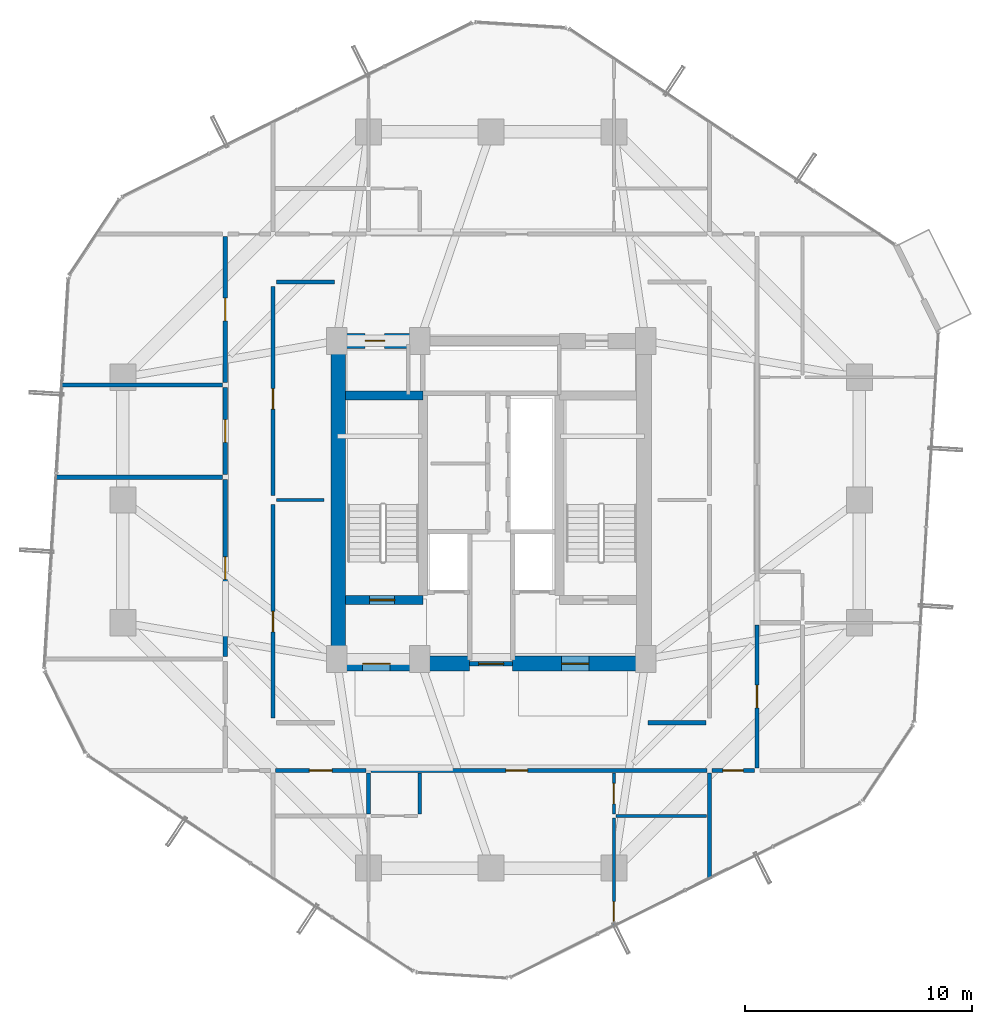
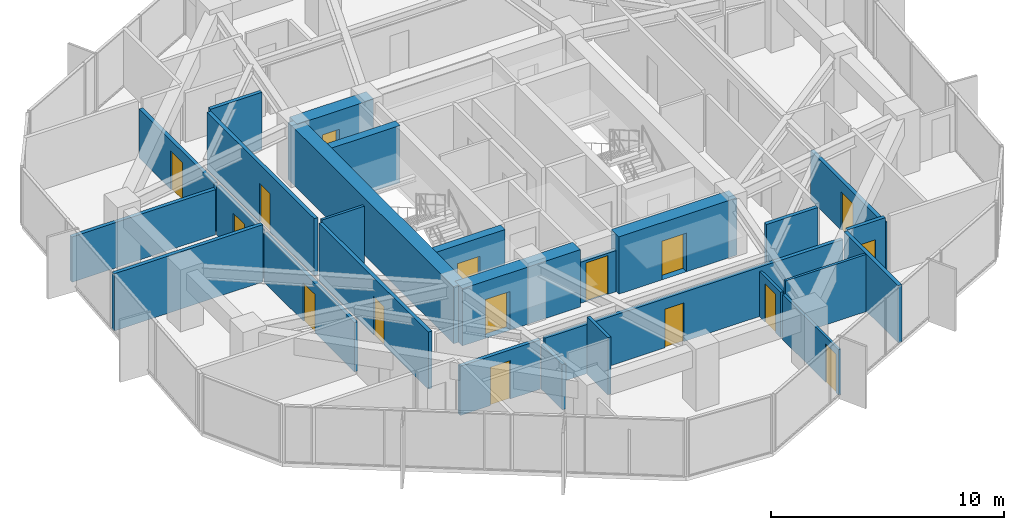
# One storey, part 26 of 30: 27 walls, 16 doors, 16 openings.
"""IFC4 building model written with IfcOpenShell, lengths in metres."""

from ifc_helpers import new_model, si_unit, direction, frame, frame_2d, origin, place, context, subcontext, project, spatial, rectangle, extrude, source, transform, mapped, material, layer, layer_set, type_object, element, fill, save


model = new_model("IFC4")

# Units and contexts
model_context = context("Model", 3, precision=1e-05, world=origin(), true_north=direction((0.0, 1.0)))
body_context = subcontext(model_context, "Body", "Model", "MODEL_VIEW")
ifc_project = project(units=[si_unit("LENGTHUNIT", "METRE"), si_unit("AREAUNIT", "SQUARE_METRE"), si_unit("VOLUMEUNIT", "CUBIC_METRE"), si_unit("PLANEANGLEUNIT", "RADIAN"), si_unit("MASSUNIT", "GRAM", prefix="KILO")], contexts=[model_context])

# Site, building, storey
site_placement = place(None, origin())
site = spatial("IfcSite", under=ifc_project, at=site_placement, CompositionType="ELEMENT")
building_placement = place(site_placement, origin())
building = spatial("IfcBuilding", under=site, at=building_placement, Name="Veraguas Prism Commons", CompositionType="ELEMENT")
storey_placement = place(building_placement, frame((0.0, 0.0, 116.5)))
storey = spatial("IfcBuildingStorey", under=building, at=storey_placement, Name="L32", CompositionType="ELEMENT", Elevation=116.5)

# Wall, opening, door
ifc_material_1 = material(Name="Concrete C50/60", Category="concrete")
ifc_layer_1 = layer(ifc_material_1, 0.39990234375, Name="Clinic and Mid Core Shear Wall RC 400", Category="concrete")
ifc_layer_set_1 = layer_set([ifc_layer_1], Name="Concrete C50/60")
wall_type_1 = type_object("IfcWallType", Name="Clinic and Mid Core Shear Wall RC 400", PredefinedType="SHEAR", material=ifc_layer_set_1)
wall_1_placement = place(storey_placement, frame((17.60009765625, 19.60009765625, 0.0), z_axis=(0.0, 0.0, 1.0), x_axis=(1.0, 0.0, 0.0)))
wall_1 = element("IfcWall", 1, at=wall_1_placement, inside=storey, type_object=wall_type_1, Name="Stair ST-01 South Shear Wall L32", PredefinedType="SHEAR", context=body_context, shape_type="SweptSolid", body=[
    extrude(rectangle(XDim=3.39990234375, YDim=0.39990234375, at=frame_2d((1.699951171875, 0.0))), origin(), (0.0, 0.0, 1.0), 3.0),
])
opening_1_placement = place(wall_1_placement, frame((1.050048828125, 0.0, 0.0)))
opening_1 = element("IfcOpeningElement", 2, at=opening_1_placement, cuts=wall_1, Name="Opening DR-05", PredefinedType="OPENING", context=body_context, shape_type="SweptSolid", body=[
    extrude(rectangle(XDim=1.10009765625, YDim=2.030029296875, at=frame_2d((0.550048828125, 1.01513671875))), frame((0.0, 0.2099609375, 0.0), z_axis=(0.0, -1.0, 0.0), x_axis=(1.0, 0.0, 0.0)), (0.0, 0.0, 1.0), 0.419921875),
])
ifc_material_2 = material(Name="Steel fire-rated door assembly", Category="steel")
door_type_1 = type_object("IfcDoorType", Name="Protected Stair and Refuge Fire Door 1100x2030", OperationType="NOTDEFINED", PredefinedType="DOOR", material=ifc_material_2)
shared_shape_1 = source(origin(), body_context, "Body", "SweptSolid", [
    extrude(rectangle(XDim=1.10009765625, YDim=2.030029296875, at=frame_2d((0.550048828125, 1.01513671875))), frame((0.0, 0.02490234375, 0.0), z_axis=(0.0, -1.0, 0.0), x_axis=(1.0, 0.0, 0.0)), (0.0, 0.0, 1.0), 0.050048828125),
])
door_1_placement = place(opening_1_placement, origin())
door_1 = element("IfcDoor", 3, at=door_1_placement, inside=storey, type_object=door_type_1, Name="Stair ST-01 Enclosure Door L32", OperationType="SINGLE_SWING_LEFT", OverallHeight=2.030029296875, OverallWidth=1.10009765625, PredefinedType="DOOR", context=body_context, shape_type="MappedRepresentation", body=[
    mapped(shared_shape_1, transform((0.0, 0.0, 0.0), scale=1.0)),
])
fill(opening_1, door_1)

# Walls
wall_2_placement = place(storey_placement, frame((17.60009765625, 28.60009765625, 0.0), z_axis=(0.0, 0.0, 1.0), x_axis=(1.0, 0.0, 0.0)))
element("IfcWall", 4, at=wall_2_placement, inside=storey, type_object=wall_type_1, Name="Stair ST-01 North Shear Wall L32", PredefinedType="SHEAR", context=body_context, shape_type="SweptSolid", body=[
    extrude(rectangle(XDim=3.39990234375, YDim=0.39990234375, at=frame_2d((1.699951171875, 0.0))), origin(), (0.0, 0.0, 1.0), 3.0),
])
ifc_material_3 = material(Name="Concrete C55/67", Category="concrete")
ifc_layer_2 = layer(ifc_material_3, 0.64990234375, Name="Core Outer Shear Wall Mid RC 650", Category="concrete")
ifc_layer_set_2 = layer_set([ifc_layer_2], Name="Concrete C55/67")
wall_type_2 = type_object("IfcWallType", Name="Core Outer Shear Wall Mid RC 650", PredefinedType="SHEAR", material=ifc_layer_set_2)
wall_3_placement = place(storey_placement, frame((17.27490234375, 16.800048828125, 0.0), z_axis=(0.0, 0.0, 1.0), x_axis=(0.0, 1.0, 0.0)))
element("IfcWall", 5, at=wall_3_placement, inside=storey, type_object=wall_type_2, Name="Central Core West Shear Wall L32", PredefinedType="SHEAR", context=body_context, shape_type="SweptSolid", body=[
    extrude(rectangle(XDim=14.199951171875, YDim=0.64990234375, at=frame_2d((7.10009765625, 0.0))), origin(), (0.0, 0.0, 1.0), 3.0),
])

# Wall, opening, door
wall_4_placement = place(storey_placement, frame((17.199951171875, 16.800048828125, 0.0), z_axis=(0.0, 0.0, 1.0), x_axis=(1.0, 0.0, 0.0)))
wall_4 = element("IfcWall", 6, at=wall_4_placement, inside=storey, type_object=wall_type_2, Name="Central Core South-West Shear Wall L32", PredefinedType="SHEAR", context=body_context, shape_type="SweptSolid", body=[
    extrude(rectangle(XDim=5.85009765625, YDim=0.64990234375, at=frame_2d((2.925048828125, 0.0))), origin(), (0.0, 0.0, 1.0), 3.0),
])
opening_2_placement = place(wall_4_placement, frame((1.14990234375, 0.0, 0.0)))
opening_2 = element("IfcOpeningElement", 7, at=opening_2_placement, cuts=wall_4, Name="Opening DR-06", PredefinedType="OPENING", context=body_context, shape_type="SweptSolid", body=[
    extrude(rectangle(XDim=1.199951171875, YDim=2.030029296875, at=frame_2d((0.60009765625, 1.01513671875))), frame((0.0, 0.3349609375, 0.0), z_axis=(0.0, -1.0, 0.0), x_axis=(1.0, 0.0, 0.0)), (0.0, 0.0, 1.0), 0.669921875),
])
door_type_2 = type_object("IfcDoorType", Name="Firefighting Lobby Smoke Door 1200x2030", OperationType="NOTDEFINED", PredefinedType="DOOR", material=ifc_material_2)
shared_shape_2 = source(origin(), body_context, "Body", "SweptSolid", [
    extrude(rectangle(XDim=1.199951171875, YDim=2.030029296875, at=frame_2d((0.60009765625, 1.01513671875))), frame((0.0, 0.02490234375, 0.0), z_axis=(0.0, -1.0, 0.0), x_axis=(1.0, 0.0, 0.0)), (0.0, 0.0, 1.0), 0.050048828125),
])
door_2_placement = place(opening_2_placement, origin())
door_2 = element("IfcDoor", 8, at=door_2_placement, inside=storey, type_object=door_type_2, Name="West FF Lobby Door L32", OperationType="SINGLE_SWING_RIGHT", OverallHeight=2.030029296875, OverallWidth=1.199951171875, PredefinedType="DOOR", context=body_context, shape_type="MappedRepresentation", body=[
    mapped(shared_shape_2, transform((0.0, 0.0, 0.0), scale=1.0)),
])
fill(opening_2, door_2)

wall_5_placement = place(storey_placement, frame((24.949951171875, 16.800048828125, 0.0), z_axis=(0.0, 0.0, 1.0), x_axis=(1.0, 0.0, 0.0)))
wall_5 = element("IfcWall", 9, at=wall_5_placement, inside=storey, type_object=wall_type_2, Name="Central Core South-East Shear Wall L32", PredefinedType="SHEAR", context=body_context, shape_type="SweptSolid", body=[
    extrude(rectangle(XDim=5.85009765625, YDim=0.64990234375, at=frame_2d((2.925048828125, 0.0))), origin(), (0.0, 0.0, 1.0), 3.0),
])
opening_3_placement = place(wall_5_placement, frame((2.14990234375, 0.0, 0.0)))
opening_3 = element("IfcOpeningElement", 10, at=opening_3_placement, cuts=wall_5, Name="Opening DR-06", PredefinedType="OPENING", context=body_context, shape_type="SweptSolid", body=[
    extrude(rectangle(XDim=1.199951171875, YDim=2.030029296875, at=frame_2d((0.60009765625, 1.01513671875))), frame((0.0, 0.3349609375, 0.0), z_axis=(0.0, -1.0, 0.0), x_axis=(1.0, 0.0, 0.0)), (0.0, 0.0, 1.0), 0.669921875),
])
door_3_placement = place(opening_3_placement, origin())
door_3 = element("IfcDoor", 11, at=door_3_placement, inside=storey, type_object=door_type_2, Name="East FF Lobby Door L32", OperationType="SINGLE_SWING_RIGHT", OverallHeight=2.030029296875, OverallWidth=1.199951171875, PredefinedType="DOOR", context=body_context, shape_type="MappedRepresentation", body=[
    mapped(shared_shape_2, transform((0.0, 0.0, 0.0), scale=1.0)),
])
fill(opening_3, door_3)

wall_6_placement = place(storey_placement, frame((17.199951171875, 31.0, 0.0), z_axis=(0.0, 0.0, 1.0), x_axis=(1.0, 0.0, 0.0)))
wall_6 = element("IfcWall", 12, at=wall_6_placement, inside=storey, type_object=wall_type_2, Name="Central Core North-West Shear Wall L32", PredefinedType="SHEAR", context=body_context, shape_type="SweptSolid", body=[
    extrude(rectangle(XDim=3.800048828125, YDim=0.64990234375, at=frame_2d((1.89990234375, 0.0))), origin(), (0.0, 0.0, 1.0), 3.0),
])
opening_4_placement = place(wall_6_placement, frame((1.25, 0.0, 0.0)))
opening_4 = element("IfcOpeningElement", 13, at=opening_4_placement, cuts=wall_6, Name="Opening DR-12", PredefinedType="OPENING", context=body_context, shape_type="SweptSolid", body=[
    extrude(rectangle(XDim=0.860107421875, YDim=2.010009765625, at=frame_2d((0.43017578125, 1.0048828125))), frame((0.0, 0.3349609375, 0.0), z_axis=(0.0, -1.0, 0.0), x_axis=(1.0, 0.0, 0.0)), (0.0, 0.0, 1.0), 0.669921875),
])
door_type_3 = type_object("IfcDoorType", Name="Core WC Fire Door 860x2010", OperationType="NOTDEFINED", PredefinedType="DOOR", material=ifc_material_2)
shared_shape_3 = source(origin(), body_context, "Body", "SweptSolid", [
    extrude(rectangle(XDim=0.860107421875, YDim=2.010009765625, at=frame_2d((0.43017578125, 1.0048828125))), frame((0.0, 0.02490234375, 0.0), z_axis=(0.0, -1.0, 0.0), x_axis=(1.0, 0.0, 0.0)), (0.0, 0.0, 1.0), 0.050048828125),
])
door_4_placement = place(opening_4_placement, origin())
door_4 = element("IfcDoor", 14, at=door_4_placement, inside=storey, type_object=door_type_3, Name="Core NW Service Door L32", OperationType="SINGLE_SWING_LEFT", OverallHeight=2.010009765625, OverallWidth=0.860107421875, PredefinedType="DOOR", context=body_context, shape_type="MappedRepresentation", body=[
    mapped(shared_shape_3, transform((0.0, 0.0, 0.0), scale=1.0)),
])
fill(opening_4, door_4)

ifc_material_4 = material(Name="Autoclaved aerated masonry block 10 MPa", Category="masonry")
ifc_layer_3 = layer(ifc_material_4, 0.179931640625, Name="Corridor and Inter-Tenancy Partition 180", Category="masonry")
ifc_layer_set_3 = layer_set([ifc_layer_3], Name="Autoclaved aerated masonry block 10 MPa")
wall_type_3 = type_object("IfcWallType", Name="Corridor and Inter-Tenancy Partition 180", PredefinedType="PARTITIONING", material=ifc_layer_set_3)
wall_7_placement = place(storey_placement, frame((14.39990234375, 14.39990234375, 0.0), z_axis=(0.0, 0.0, 1.0), x_axis=(0.0, 1.0, 0.0)))
wall_7 = element("IfcWall", 15, at=wall_7_placement, inside=storey, type_object=wall_type_3, Name="WL-L32-IRW1", PredefinedType="PARTITIONING", context=body_context, shape_type="SweptSolid", body=[
    extrude(rectangle(XDim=9.400146484375, YDim=0.179931640625, at=frame_2d((4.7001953125, 0.0))), origin(), (0.0, 0.0, 1.0), 3.0),
])
opening_5_placement = place(wall_7_placement, frame((3.800048828125, 0.0, 0.0)))
opening_5 = element("IfcOpeningElement", 16, at=opening_5_placement, cuts=wall_7, Name="Opening DR-14", PredefinedType="OPENING", context=body_context, shape_type="SweptSolid", body=[
    extrude(rectangle(XDim=0.89990234375, YDim=2.010009765625, at=frame_2d((0.449951171875, 1.0048828125))), frame((0.0, 0.099853515625, 0.0), z_axis=(0.0, -1.0, 0.0), x_axis=(1.0, 0.0, 0.0)), (0.0, 0.0, 1.0), 0.199951171875),
])
door_type_4 = type_object("IfcDoorType", Name="Core Service Room Fire Door 900x2010", OperationType="NOTDEFINED", PredefinedType="DOOR", material=ifc_material_2)
shared_shape_4 = source(origin(), body_context, "Body", "SweptSolid", [
    extrude(rectangle(XDim=0.89990234375, YDim=2.010009765625, at=frame_2d((0.449951171875, 1.0048828125))), frame((0.0, 0.02490234375, 0.0), z_axis=(0.0, -1.0, 0.0), x_axis=(1.0, 0.0, 0.0)), (0.0, 0.0, 1.0), 0.050048828125),
])
door_5_placement = place(opening_5_placement, origin())
door_5 = element("IfcDoor", 17, at=door_5_placement, inside=storey, type_object=door_type_4, Name="Residents Quiet Study Pod Door L32", OperationType="SINGLE_SWING_LEFT", OverallHeight=2.010009765625, OverallWidth=0.89990234375, PredefinedType="DOOR", context=body_context, shape_type="MappedRepresentation", body=[
    mapped(shared_shape_4, transform((0.0, 0.0, 0.0), scale=1.0)),
])
fill(opening_5, door_5)

wall_8_placement = place(storey_placement, frame((14.39990234375, 24.199951171875, 0.0), z_axis=(0.0, 0.0, 1.0), x_axis=(0.0, 1.0, 0.0)))
wall_8 = element("IfcWall", 18, at=wall_8_placement, inside=storey, type_object=wall_type_3, Name="WL-L32-IRW2", PredefinedType="PARTITIONING", context=body_context, shape_type="SweptSolid", body=[
    extrude(rectangle(XDim=9.199951171875, YDim=0.179931640625, at=frame_2d((4.60009765625, 0.0))), origin(), (0.0, 0.0, 1.0), 3.0),
])
opening_6_placement = place(wall_8_placement, frame((3.800048828125, 0.0, 0.0)))
opening_6 = element("IfcOpeningElement", 19, at=opening_6_placement, cuts=wall_8, Name="Opening DR-14", PredefinedType="OPENING", context=body_context, shape_type="SweptSolid", body=[
    extrude(rectangle(XDim=0.89990234375, YDim=2.010009765625, at=frame_2d((0.449951171875, 1.0048828125))), frame((0.0, 0.099853515625, 0.0), z_axis=(0.0, -1.0, 0.0), x_axis=(1.0, 0.0, 0.0)), (0.0, 0.0, 1.0), 0.199951171875),
])
door_6_placement = place(opening_6_placement, origin())
door_6 = element("IfcDoor", 20, at=door_6_placement, inside=storey, type_object=door_type_4, Name="Co-op Cycle and Pram Store Door L32", OperationType="SINGLE_SWING_RIGHT", OverallHeight=2.010009765625, OverallWidth=0.89990234375, PredefinedType="DOOR", context=body_context, shape_type="MappedRepresentation", body=[
    mapped(shared_shape_4, transform((0.0, 0.0, 0.0), scale=1.0)),
])
fill(opening_6, door_6)

# Walls
for number, where, z_axis, x_axis, name in (
    (21, (14.550048828125, 33.60009765625, 0.0), (0.0, 0.0, 1.0), (1.0, 0.0, 0.0), "WL-L32-IRWN"),
    (22, (30.89990234375, 14.199951171875, 0.0), (0.0, 0.0, 1.0), (1.0, 0.0, 0.0), "WL-L32-IRES"),
):
    element("IfcWall", number, at=place(storey_placement, frame(where, z_axis=z_axis, x_axis=x_axis)), inside=storey, type_object=wall_type_3, Name=name, PredefinedType="PARTITIONING", context=body_context, shape_type="SweptSolid", body=[
        extrude(rectangle(XDim=2.550048828125, YDim=0.179931640625, at=frame_2d((1.27490234375, 0.0))), origin(), (0.0, 0.0, 1.0), 3.0),
    ])
wall_9_placement = place(storey_placement, frame((33.60009765625, 11.97998046875, 0.0), z_axis=(0.0, 0.0, 1.0), x_axis=(0.0, -1.0, 0.0)))
element("IfcWall", 23, at=wall_9_placement, inside=storey, type_object=wall_type_3, Name="WL-L32-PT002", PredefinedType="PARTITIONING", context=body_context, shape_type="SweptSolid", body=[
    extrude(rectangle(XDim=4.66259765625, YDim=0.179931640625, at=frame_2d((2.331298828125, 0.0))), origin(), (0.0, 0.0, 1.0), 3.0),
])

# Wall, opening, door
wall_10_placement = place(storey_placement, frame((14.510009765625, 12.10009765625, 0.0), z_axis=(0.0, 0.0, 1.0), x_axis=(1.0, 0.0, 0.0)))
wall_10 = element("IfcWall", 24, at=wall_10_placement, inside=storey, type_object=wall_type_3, Name="WL-L32-PT003", PredefinedType="PARTITIONING", context=body_context, shape_type="SweptSolid", body=[
    extrude(rectangle(XDim=3.97998046875, YDim=0.179931640625, at=frame_2d((1.989990234375, 0.0))), origin(), (0.0, 0.0, 1.0), 2.580078125),
])
opening_7_placement = place(wall_10_placement, frame((1.489990234375, 0.0, 0.0)))
opening_7 = element("IfcOpeningElement", 25, at=opening_7_placement, cuts=wall_10, Name="Opening DR-13", PredefinedType="OPENING", context=body_context, shape_type="SweptSolid", body=[
    extrude(rectangle(XDim=1.0, YDim=2.010009765625, at=frame_2d((0.5, 1.0048828125))), frame((0.0, 0.099853515625, 0.0), z_axis=(0.0, -1.0, 0.0), x_axis=(1.0, 0.0, 0.0)), (0.0, 0.0, 1.0), 0.199951171875),
])
door_type_5 = type_object("IfcDoorType", Name="Core Accessible WC and Clinic Fire Door 1000x2010", OperationType="NOTDEFINED", PredefinedType="DOOR", material=ifc_material_2)
shared_shape_5 = source(origin(), body_context, "Body", "SweptSolid", [
    extrude(rectangle(XDim=1.0, YDim=2.010009765625, at=frame_2d((0.5, 1.0048828125))), frame((0.0, 0.02490234375, 0.0), z_axis=(0.0, -1.0, 0.0), x_axis=(1.0, 0.0, 0.0)), (0.0, 0.0, 1.0), 0.050048828125),
])
door_7_placement = place(opening_7_placement, origin())
door_7 = element("IfcDoor", 26, at=door_7_placement, inside=storey, type_object=door_type_5, Name="Residents Study Alcove 32A Door", OperationType="SINGLE_SWING_LEFT", OverallHeight=2.010009765625, OverallWidth=1.0, PredefinedType="DOOR", context=body_context, shape_type="MappedRepresentation", body=[
    mapped(shared_shape_5, transform((0.0, 0.0, 0.0), scale=1.0)),
])
fill(opening_7, door_7)

wall_11_placement = place(storey_placement, frame((18.7099609375, 12.10009765625, 0.0), z_axis=(0.0, 0.0, 1.0), x_axis=(1.0, 0.0, 0.0)))
wall_11 = element("IfcWall", 27, at=wall_11_placement, inside=storey, type_object=wall_type_3, Name="WL-L32-PT004", PredefinedType="PARTITIONING", context=body_context, shape_type="SweptSolid", body=[
    extrude(rectangle(XDim=14.780029296875, YDim=0.179931640625, at=frame_2d((7.39013671875, 0.0))), origin(), (0.0, 0.0, 1.0), 2.580078125),
])
opening_8_placement = place(wall_11_placement, frame((5.93994140625, 0.0, 0.0)))
opening_8 = element("IfcOpeningElement", 28, at=opening_8_placement, cuts=wall_11, Name="Opening DR-01", PredefinedType="OPENING", context=body_context, shape_type="SweptSolid", body=[
    extrude(rectangle(XDim=0.949951171875, YDim=2.02001953125, at=frame_2d((0.47509765625, 1.010009765625))), frame((0.0, 0.099853515625, 0.0), z_axis=(0.0, -1.0, 0.0), x_axis=(1.0, 0.0, 0.0)), (0.0, 0.0, 1.0), 0.199951171875),
])
ifc_material_5 = material(Name="Anodised aluminium EN AW-6063 T6", Category="aluminium")
door_type_6 = type_object("IfcDoorType", Name="Apartment Entrance Fire Door 950x2020", OperationType="NOTDEFINED", PredefinedType="DOOR", material=ifc_material_5)
shared_shape_6 = source(origin(), body_context, "Body", "SweptSolid", [
    extrude(rectangle(XDim=0.949951171875, YDim=2.02001953125, at=frame_2d((0.47509765625, 1.010009765625))), frame((0.0, 0.02490234375, 0.0), z_axis=(0.0, -1.0, 0.0), x_axis=(1.0, 0.0, 0.0)), (0.0, 0.0, 1.0), 0.050048828125),
])
door_8_placement = place(opening_8_placement, origin())
door_8 = element("IfcDoor", 29, at=door_8_placement, inside=storey, type_object=door_type_6, Name="Flat 32A Entrance Door", OperationType="SINGLE_SWING_RIGHT", OverallHeight=2.02001953125, OverallWidth=0.949951171875, PredefinedType="DOOR", context=body_context, shape_type="MappedRepresentation", body=[
    mapped(shared_shape_6, transform((0.0, 0.0, 0.0), scale=1.0)),
])
fill(opening_8, door_8)

# Wall
wall_12_placement = place(storey_placement, frame((18.60009765625, 11.97998046875, 0.0), z_axis=(0.0, 0.0, 1.0), x_axis=(0.0, -1.0, 0.0)))
element("IfcWall", 30, at=wall_12_placement, inside=storey, type_object=wall_type_3, Name="WL-L32-PT006", PredefinedType="PARTITIONING", context=body_context, shape_type="SweptSolid", body=[
    extrude(rectangle(XDim=1.800048828125, YDim=0.179931640625, at=frame_2d((0.89990234375, 0.0))), origin(), (0.0, 0.0, 1.0), 2.3779296875),
])

# Wall, opening, door
wall_13_placement = place(storey_placement, frame((12.300048828125, 17.113037109375, 0.0), z_axis=(0.0, 0.0, 1.0), x_axis=(0.0, 1.0, 0.0)))
wall_13 = element("IfcWall", 31, at=wall_13_placement, inside=storey, type_object=wall_type_3, Name="WL-L32-PT028", PredefinedType="PARTITIONING", context=body_context, shape_type="SweptSolid", body=[
    extrude(rectangle(XDim=7.779052734375, YDim=0.179931640625, at=frame_2d((3.8896484375, 0.0))), origin(), (0.0, 0.0, 1.0), 2.580078125),
])
opening_9_placement = place(wall_13_placement, frame((3.389404296875, 0.0, 0.0)))
opening_9 = element("IfcOpeningElement", 32, at=opening_9_placement, cuts=wall_13, Name="Opening DR-13", PredefinedType="OPENING", context=body_context, shape_type="SweptSolid", body=[
    extrude(rectangle(XDim=1.0, YDim=2.010009765625, at=frame_2d((0.5, 1.0048828125))), frame((0.0, 0.099853515625, 0.0), z_axis=(0.0, -1.0, 0.0), x_axis=(1.0, 0.0, 0.0)), (0.0, 0.0, 1.0), 0.199951171875),
])
door_9_placement = place(opening_9_placement, origin())
door_9 = element("IfcDoor", 33, at=door_9_placement, inside=storey, type_object=door_type_5, Name="Co-op Store W Door", OperationType="SINGLE_SWING_RIGHT", OverallHeight=2.010009765625, OverallWidth=1.0, PredefinedType="DOOR", context=body_context, shape_type="MappedRepresentation", body=[
    mapped(shared_shape_5, transform((0.0, 0.0, 0.0), scale=1.0)),
])
fill(opening_9, door_9)

# Wall
wall_14_placement = place(storey_placement, frame((12.179931640625, 25.001953125, 0.0), z_axis=(0.0, 0.0, 1.0), x_axis=(-1.0, 0.0, 0.0)))
element("IfcWall", 34, at=wall_14_placement, inside=storey, type_object=wall_type_3, Name="WL-L32-PT030", PredefinedType="PARTITIONING", context=body_context, shape_type="SweptSolid", body=[
    extrude(rectangle(XDim=7.3671875, YDim=0.179931640625, at=frame_2d((3.68359375, 0.0))), origin(), (0.0, 0.0, 1.0), 3.0),
])

# Wall, opening, door
wall_15_placement = place(storey_placement, frame((12.300048828125, 25.112060546875, 0.0), z_axis=(0.0, 0.0, 1.0), x_axis=(0.0, 1.0, 0.0)))
wall_15 = element("IfcWall", 35, at=wall_15_placement, inside=storey, type_object=wall_type_3, Name="WL-L32-PT031", PredefinedType="PARTITIONING", context=body_context, shape_type="SweptSolid", body=[
    extrude(rectangle(XDim=3.844970703125, YDim=0.179931640625, at=frame_2d((1.92236328125, 0.0))), origin(), (0.0, 0.0, 1.0), 2.580078125),
])
opening_10_placement = place(wall_15_placement, frame((1.422607421875, 0.0, 0.0)))
opening_10 = element("IfcOpeningElement", 36, at=opening_10_placement, cuts=wall_15, Name="Opening DR-13", PredefinedType="OPENING", context=body_context, shape_type="SweptSolid", body=[
    extrude(rectangle(XDim=1.0, YDim=2.010009765625, at=frame_2d((0.5, 1.0048828125))), frame((0.0, 0.099853515625, 0.0), z_axis=(0.0, -1.0, 0.0), x_axis=(1.0, 0.0, 0.0)), (0.0, 0.0, 1.0), 0.199951171875),
])
door_10_placement = place(opening_10_placement, origin())
door_10 = element("IfcDoor", 37, at=door_10_placement, inside=storey, type_object=door_type_5, Name="Shared Laundry Room Door", OperationType="SINGLE_SWING_LEFT", OverallHeight=2.010009765625, OverallWidth=1.0, PredefinedType="DOOR", context=body_context, shape_type="MappedRepresentation", body=[
    mapped(shared_shape_5, transform((0.0, 0.0, 0.0), scale=1.0)),
])
fill(opening_10, door_10)

wall_16_placement = place(storey_placement, frame((12.300048828125, 29.177001953125, 0.0), z_axis=(0.0, 0.0, 1.0), x_axis=(0.0, 1.0, 0.0)))
wall_16 = element("IfcWall", 38, at=wall_16_placement, inside=storey, type_object=wall_type_3, Name="WL-L32-PT032", PredefinedType="PARTITIONING", context=body_context, shape_type="SweptSolid", body=[
    extrude(rectangle(XDim=6.4130859375, YDim=0.179931640625, at=frame_2d((3.20654296875, 0.0))), origin(), (0.0, 0.0, 1.0), 2.580078125),
])
opening_11_placement = place(wall_16_placement, frame((2.70654296875, 0.0, 0.0)))
opening_11 = element("IfcOpeningElement", 39, at=opening_11_placement, cuts=wall_16, Name="Opening DR-13", PredefinedType="OPENING", context=body_context, shape_type="SweptSolid", body=[
    extrude(rectangle(XDim=1.0, YDim=2.010009765625, at=frame_2d((0.5, 1.0048828125))), frame((0.0, 0.099853515625, 0.0), z_axis=(0.0, -1.0, 0.0), x_axis=(1.0, 0.0, 0.0)), (0.0, 0.0, 1.0), 0.199951171875),
])
door_11_placement = place(opening_11_placement, origin())
door_11 = element("IfcDoor", 40, at=door_11_placement, inside=storey, type_object=door_type_5, Name="Co-op Store W Door", OperationType="SINGLE_SWING_RIGHT", OverallHeight=2.010009765625, OverallWidth=1.0, PredefinedType="DOOR", context=body_context, shape_type="MappedRepresentation", body=[
    mapped(shared_shape_5, transform((0.0, 0.0, 0.0), scale=1.0)),
])
fill(opening_11, door_11)

# Wall
wall_17_placement = place(storey_placement, frame((12.179931640625, 29.06689453125, 0.0), z_axis=(0.0, 0.0, 1.0), x_axis=(-1.0, 0.0, 0.0)))
element("IfcWall", 41, at=wall_17_placement, inside=storey, type_object=wall_type_3, Name="WL-L32-PT033", PredefinedType="PARTITIONING", context=body_context, shape_type="SweptSolid", body=[
    extrude(rectangle(XDim=7.11572265625, YDim=0.179931640625, at=frame_2d((3.557861328125, 0.0))), origin(), (0.0, 0.0, 1.0), 2.3779296875),
])

# Wall, opening, door
wall_18_placement = place(storey_placement, frame((35.699951171875, 12.2099609375, 0.0), z_axis=(0.0, 0.0, 1.0), x_axis=(0.0, 1.0, 0.0)))
wall_18 = element("IfcWall", 42, at=wall_18_placement, inside=storey, type_object=wall_type_3, Name="WL-L32-PT036", PredefinedType="PARTITIONING", context=body_context, shape_type="SweptSolid", body=[
    extrude(rectangle(XDim=6.280029296875, YDim=0.179931640625, at=frame_2d((3.14013671875, 0.0))), origin(), (0.0, 0.0, 1.0), 2.580078125),
])
opening_12_placement = place(wall_18_placement, frame((2.639892578125, 0.0, 0.0)))
opening_12 = element("IfcOpeningElement", 43, at=opening_12_placement, cuts=wall_18, Name="Opening DR-13", PredefinedType="OPENING", context=body_context, shape_type="SweptSolid", body=[
    extrude(rectangle(XDim=1.0, YDim=2.010009765625, at=frame_2d((0.5, 1.0048828125))), frame((0.0, 0.099853515625, 0.0), z_axis=(0.0, -1.0, 0.0), x_axis=(1.0, 0.0, 0.0)), (0.0, 0.0, 1.0), 0.199951171875),
])
door_12_placement = place(opening_12_placement, origin())
door_12 = element("IfcDoor", 44, at=door_12_placement, inside=storey, type_object=door_type_5, Name="Residents Study Alcove 32C Door", OperationType="SINGLE_SWING_LEFT", OverallHeight=2.010009765625, OverallWidth=1.0, PredefinedType="DOOR", context=body_context, shape_type="MappedRepresentation", body=[
    mapped(shared_shape_5, transform((0.0, 0.0, 0.0), scale=1.0)),
])
fill(opening_12, door_12)

wall_19_placement = place(storey_placement, frame((33.719970703125, 12.10009765625, 0.0), z_axis=(0.0, 0.0, 1.0), x_axis=(1.0, 0.0, 0.0)))
wall_19 = element("IfcWall", 45, at=wall_19_placement, inside=storey, type_object=wall_type_3, Name="WL-L32-PT047", PredefinedType="PARTITIONING", context=body_context, shape_type="SweptSolid", body=[
    extrude(rectangle(XDim=1.860107421875, YDim=0.179931640625, at=frame_2d((0.93017578125, 0.0))), origin(), (0.0, 0.0, 1.0), 3.0),
])
opening_13_placement = place(wall_19_placement, frame((0.47998046875, 0.0, 0.0)))
opening_13 = element("IfcOpeningElement", 46, at=opening_13_placement, cuts=wall_19, Name="Opening DR-14", PredefinedType="OPENING", context=body_context, shape_type="SweptSolid", body=[
    extrude(rectangle(XDim=0.89990234375, YDim=2.010009765625, at=frame_2d((0.449951171875, 1.0048828125))), frame((0.0, 0.099853515625, 0.0), z_axis=(0.0, -1.0, 0.0), x_axis=(1.0, 0.0, 0.0)), (0.0, 0.0, 1.0), 0.199951171875),
])
door_13_placement = place(opening_13_placement, origin())
door_13 = element("IfcDoor", 47, at=door_13_placement, inside=storey, type_object=door_type_4, Name="Residents Cycle and Pram Store SE Door", OperationType="SINGLE_SWING_RIGHT", OverallHeight=2.010009765625, OverallWidth=0.89990234375, PredefinedType="DOOR", context=body_context, shape_type="MappedRepresentation", body=[
    mapped(shared_shape_4, transform((0.0, 0.0, 0.0), scale=1.0)),
])
fill(opening_13, door_13)

# Wall
ifc_material_6 = material(Name="Lightweight acoustic gypsum board")
ifc_layer_4 = layer(ifc_material_6, 0.125, Name="Internal Apartment Room Partition 125")
ifc_layer_set_4 = layer_set([ifc_layer_4], Name="Lightweight acoustic gypsum board")
wall_type_4 = type_object("IfcWallType", Name="Internal Apartment Room Partition 125", PredefinedType="PARTITIONING", material=ifc_layer_set_4)
wall_20_placement = place(storey_placement, frame((14.550048828125, 24.0, 0.0), z_axis=(0.0, 0.0, 1.0), x_axis=(1.0, 0.0, 0.0)))
element("IfcWall", 48, at=wall_20_placement, inside=storey, type_object=wall_type_4, Name="WL-L32-IRWM", PredefinedType="PARTITIONING", context=body_context, shape_type="SweptSolid", body=[
    extrude(rectangle(XDim=2.099853515625, YDim=0.125, at=frame_2d((1.0498046875, 0.0))), origin(), (0.0, 0.0, 1.0), 3.0),
])

# Wall, opening, door
wall_21_placement = place(storey_placement, frame((29.39990234375, 11.97998046875, 0.0), z_axis=(0.0, 0.0, 1.0), x_axis=(0.0, -1.0, 0.0)))
wall_21 = element("IfcWall", 49, at=wall_21_placement, inside=storey, type_object=wall_type_4, Name="WL-L32-PT010", PredefinedType="PARTITIONING", context=body_context, shape_type="SweptSolid", body=[
    extrude(rectangle(XDim=1.800048828125, YDim=0.125, at=frame_2d((0.89990234375, 0.0))), origin(), (0.0, 0.0, 1.0), 2.3779296875),
])
opening_14_placement = place(wall_21_placement, frame((0.449951171875, 0.0, 0.0)))
opening_14 = element("IfcOpeningElement", 50, at=opening_14_placement, cuts=wall_21, Name="Opening DR-02", PredefinedType="OPENING", context=body_context, shape_type="SweptSolid", body=[
    extrude(rectangle(XDim=0.89990234375, YDim=2.010009765625, at=frame_2d((0.449951171875, 1.0048828125))), frame((0.0, 0.072509765625, 0.0), z_axis=(0.0, -1.0, 0.0), x_axis=(1.0, 0.0, 0.0)), (0.0, 0.0, 1.0), 0.14501953125),
])
ifc_material_7 = material(Name="Timber solid core hardwood", Category="wood")
door_type_7 = type_object("IfcDoorType", Name="Internal Habitable Room Door 900x2010", OperationType="NOTDEFINED", PredefinedType="DOOR", material=ifc_material_7)
door_14_placement = place(opening_14_placement, origin())
door_14 = element("IfcDoor", 51, at=door_14_placement, inside=storey, type_object=door_type_7, Name="Flat 32A Kitchen Door", OperationType="SINGLE_SWING_LEFT", OverallHeight=2.010009765625, OverallWidth=0.89990234375, PredefinedType="DOOR", context=body_context, shape_type="MappedRepresentation", body=[
    mapped(shared_shape_4, transform((0.0, 0.0, 0.0), scale=1.0)),
])
fill(opening_14, door_14)

# Wall
wall_22_placement = place(storey_placement, frame((29.5, 10.10009765625, 0.0), z_axis=(0.0, 0.0, 1.0), x_axis=(1.0, 0.0, 0.0)))
element("IfcWall", 52, at=wall_22_placement, inside=storey, type_object=wall_type_4, Name="WL-L32-PT011", PredefinedType="PARTITIONING", context=body_context, shape_type="SweptSolid", body=[
    extrude(rectangle(XDim=3.97998046875, YDim=0.125, at=frame_2d((1.989990234375, 0.0))), origin(), (0.0, 0.0, 1.0), 3.0),
])

# Wall, opening, door
wall_23_placement = place(storey_placement, frame((29.39990234375, 10.0, 0.0), z_axis=(0.0, 0.0, 1.0), x_axis=(0.0, -1.0, 0.0)))
wall_23 = element("IfcWall", 53, at=wall_23_placement, inside=storey, type_object=wall_type_4, Name="WL-L32-PT012", PredefinedType="PARTITIONING", context=body_context, shape_type="SweptSolid", body=[
    extrude(rectangle(XDim=4.77294921875, YDim=0.125, at=frame_2d((2.386474609375, 0.0))), origin(), (0.0, 0.0, 1.0), 2.3779296875),
])
opening_15_placement = place(wall_23_placement, frame((3.6728515625, 0.0, 0.0)))
opening_15 = element("IfcOpeningElement", 54, at=opening_15_placement, cuts=wall_23, Name="Opening DR-02", PredefinedType="OPENING", context=body_context, shape_type="SweptSolid", body=[
    extrude(rectangle(XDim=0.89990234375, YDim=2.010009765625, at=frame_2d((0.449951171875, 1.0048828125))), frame((0.0, 0.072509765625, 0.0), z_axis=(0.0, -1.0, 0.0), x_axis=(1.0, 0.0, 0.0)), (0.0, 0.0, 1.0), 0.14501953125),
])
door_15_placement = place(opening_15_placement, origin())
door_15 = element("IfcDoor", 55, at=door_15_placement, inside=storey, type_object=door_type_7, Name="Flat 32A Bedroom 1 Door", OperationType="SINGLE_SWING_RIGHT", OverallHeight=2.010009765625, OverallWidth=0.89990234375, PredefinedType="DOOR", context=body_context, shape_type="MappedRepresentation", body=[
    mapped(shared_shape_4, transform((0.0, 0.0, 0.0), scale=1.0)),
])
fill(opening_15, door_15)

ifc_layer_5 = layer(ifc_material_4, 0.199951171875, Name="Rated Shaft and Lobby Block Wall 200", Category="masonry")
ifc_layer_set_5 = layer_set([ifc_layer_5], Name="Autoclaved aerated masonry block 10 MPa")
wall_type_5 = type_object("IfcWallType", Name="Rated Shaft and Lobby Block Wall 200", PredefinedType="SOLIDWALL", material=ifc_layer_set_5)
wall_24_placement = place(storey_placement, frame((23.050048828125, 16.800048828125, 0.0), z_axis=(0.0, 0.0, 1.0), x_axis=(1.0, 0.0, 0.0)))
wall_24 = element("IfcWall", 56, at=wall_24_placement, inside=storey, type_object=wall_type_5, Name="Central Core Lobby Entrance Wall L32", PredefinedType="SOLIDWALL", context=body_context, shape_type="SweptSolid", body=[
    extrude(rectangle(XDim=1.89990234375, YDim=0.199951171875, at=frame_2d((0.949951171875, 0.0))), origin(), (0.0, 0.0, 1.0), 2.14990234375),
])
opening_16_placement = place(wall_24_placement, frame((0.39990234375, 0.0, 0.0)))
opening_16 = element("IfcOpeningElement", 57, at=opening_16_placement, cuts=wall_24, Name="Opening DR-05", PredefinedType="OPENING", context=body_context, shape_type="SweptSolid", body=[
    extrude(rectangle(XDim=1.10009765625, YDim=2.030029296875, at=frame_2d((0.550048828125, 1.01513671875))), frame((0.0, 0.10986328125, 0.0), z_axis=(0.0, -1.0, 0.0), x_axis=(1.0, 0.0, 0.0)), (0.0, 0.0, 1.0), 0.219970703125),
])
door_16_placement = place(opening_16_placement, origin())
door_16 = element("IfcDoor", 58, at=door_16_placement, inside=storey, type_object=door_type_1, Name="Central Lobby Door L32", OperationType="SINGLE_SWING_LEFT", OverallHeight=2.030029296875, OverallWidth=1.10009765625, PredefinedType="DOOR", context=body_context, shape_type="MappedRepresentation", body=[
    mapped(shared_shape_1, transform((0.0, 0.0, 0.0), scale=1.0)),
])
fill(opening_16, door_16)

# Wall
ifc_layer_6 = layer(ifc_material_6, 0.14990234375, Name="Wet Room and Clinic Acoustic Partition 150")
ifc_layer_set_6 = layer_set([ifc_layer_6], Name="Lightweight acoustic gypsum board")
wall_type_6 = type_object("IfcWallType", Name="Wet Room and Clinic Acoustic Partition 150", PredefinedType="PARTITIONING", material=ifc_layer_set_6)
wall_25_placement = place(storey_placement, frame((20.85009765625, 11.97998046875, 0.0), z_axis=(0.0, 0.0, 1.0), x_axis=(0.0, -1.0, 0.0)))
element("IfcWall", 59, at=wall_25_placement, inside=storey, type_object=wall_type_6, Name="WL-L32-PT008", PredefinedType="PARTITIONING", context=body_context, shape_type="SweptSolid", body=[
    extrude(rectangle(XDim=1.800048828125, YDim=0.14990234375, at=frame_2d((0.89990234375, 0.0))), origin(), (0.0, 0.0, 1.0), 3.0),
])

save(model, "model.ifc")
